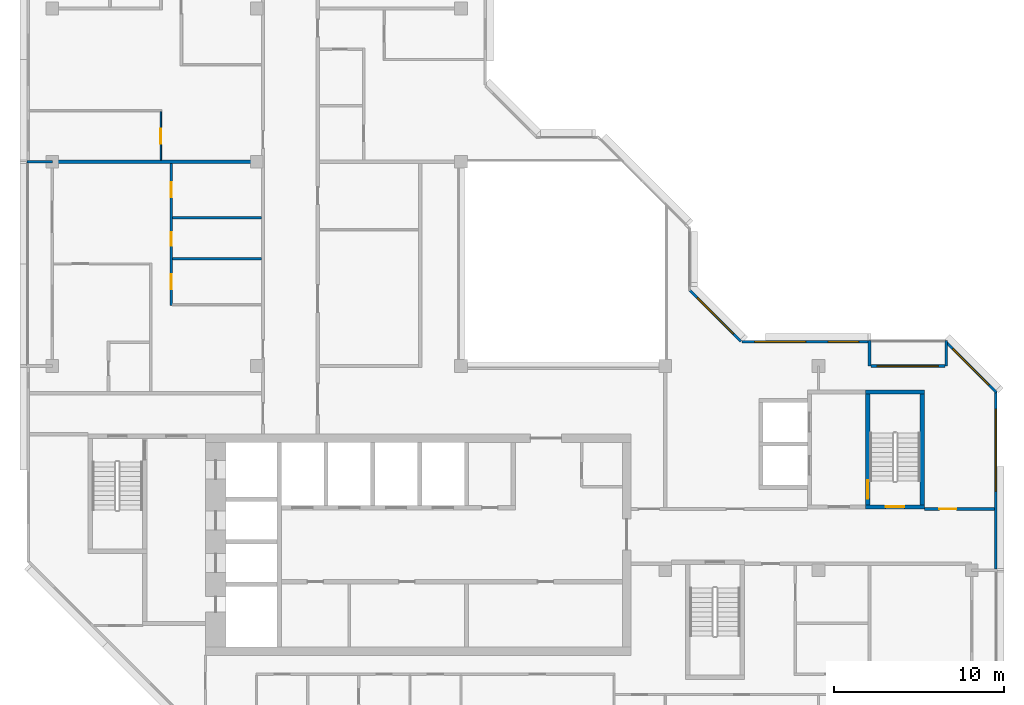
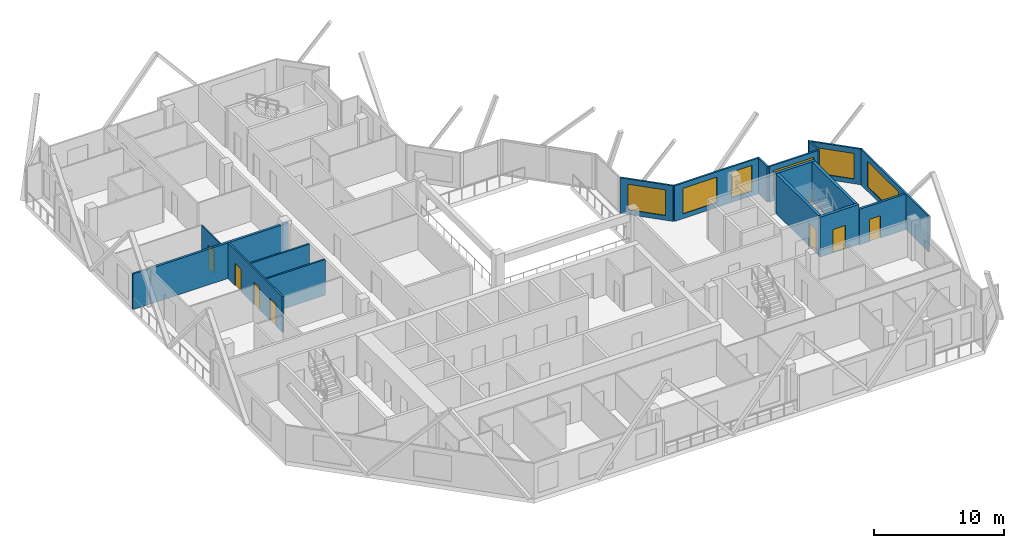
# One storey, part 7 of 12: 18 walls, 7 doors, 6 windows, 13 openings.
"""IFC4 building model written with IfcOpenShell, lengths in metres."""

from ifc_helpers import new_model, si_unit, direction, frame, frame_2d, origin, place, context, subcontext, project, spatial, rectangle, extrude, material, layer, layer_set, type_object, element, fill, save


model = new_model("IFC4")

# Units and contexts
model_context = context("Model", 3, precision=1e-05, world=origin(), true_north=direction((0.0, 1.0)))
body_context = subcontext(model_context, "Body", "Model", "MODEL_VIEW")
ifc_project = project(units=[si_unit("LENGTHUNIT", "METRE"), si_unit("AREAUNIT", "SQUARE_METRE"), si_unit("VOLUMEUNIT", "CUBIC_METRE"), si_unit("PLANEANGLEUNIT", "RADIAN"), si_unit("MASSUNIT", "GRAM", prefix="KILO")], contexts=[model_context])

# Site, building, storey
site_placement = place(None, origin())
site = spatial("IfcSite", under=ifc_project, at=site_placement, CompositionType="ELEMENT")
building_placement = place(site_placement, origin())
building = spatial("IfcBuilding", under=site, at=building_placement, Name="Chenar Terraces", CompositionType="ELEMENT")
storey_placement = place(building_placement, frame((0.0, 0.0, 368.89990234375)))
storey = spatial("IfcBuildingStorey", under=building, at=storey_placement, Name="L86", CompositionType="ELEMENT", Elevation=368.89990234375)

# Wall, opening, door
ifc_material_1 = material(Name="Concrete C50/60", Category="concrete")
ifc_layer_1 = layer(ifc_material_1, 0.25)
ifc_layer_set_1 = layer_set([ifc_layer_1], Name="Concrete C50/60")
wall_type_1 = type_object("IfcWallType", Name="Core wall 250 Concrete C50/60", PredefinedType="SHEAR", material=ifc_layer_set_1)
wall_1_placement = place(storey_placement, frame((47.77490234375, 15.72509765625, 0.0), z_axis=(0.0, 0.0, 1.0), x_axis=(1.0, 0.0, 0.0)))
wall_1 = element("IfcWall", 1, at=wall_1_placement, inside=storey, type_object=wall_type_1, Name="Core wall ST3_S L86", PredefinedType="SHEAR", context=body_context, shape_type="SweptSolid", body=[
    extrude(rectangle(XDim=3.4501953125, YDim=0.25, at=frame_2d((1.72509765625, 0.0))), origin(), (0.0, 0.0, 1.0), 3.75),
])
opening_1_placement = place(wall_1_placement, frame((1.175048828125, 0.0, 0.0)))
opening_1 = element("IfcOpeningElement", 2, at=opening_1_placement, cuts=wall_1, Name="Opening DL86-C8", PredefinedType="OPENING", context=body_context, shape_type="SweptSolid", body=[
    extrude(rectangle(XDim=1.10009765625, YDim=2.199951171875, at=frame_2d((0.550048828125, 1.10009765625))), frame((0.0, 0.135009765625, 0.0), z_axis=(0.0, -1.0, 0.0), x_axis=(1.0, 0.0, 0.0)), (0.0, 0.0, 1.0), 0.27001953125),
])
ifc_material_2 = material(Name="Steel-framed fire-resisting door leaf", Category="steel")
door_type_1 = type_object("IfcDoorType", Name="Stair fire door FD60 1100 x 2200", OperationType="SINGLE_SWING_LEFT", PredefinedType="DOOR", material=ifc_material_2)
door_1_placement = place(opening_1_placement, frame((1.10009765625, 0.0, 0.0), z_axis=(0.0, 0.0, 1.0), x_axis=(-1.0, 0.0, 0.0)))
door_1 = element("IfcDoor", 3, at=door_1_placement, inside=storey, type_object=door_type_1, Name="Stair door DL86-C8", OperationType="SINGLE_SWING_LEFT", OverallHeight=2.199951171875, OverallWidth=1.10009765625, PredefinedType="DOOR", context=body_context, shape_type="SweptSolid", body=[
    extrude(rectangle(XDim=1.10009765625, YDim=2.199951171875, at=frame_2d((0.550048828125, 1.10009765625))), frame((0.0, 0.02490234375, 0.0), z_axis=(0.0, -1.0, 0.0), x_axis=(1.0, 0.0, 0.0)), (0.0, 0.0, 1.0), 0.050048828125),
])
fill(opening_1, door_1)

# Wall
wall_2_placement = place(storey_placement, frame((47.77490234375, 22.47509765625, 0.0), z_axis=(0.0, 0.0, 1.0), x_axis=(1.0, 0.0, 0.0)))
element("IfcWall", 4, at=wall_2_placement, inside=storey, type_object=wall_type_1, Name="Core wall ST3_N L86", PredefinedType="SHEAR", context=body_context, shape_type="SweptSolid", body=[
    extrude(rectangle(XDim=3.4501953125, YDim=0.25, at=frame_2d((1.72509765625, 0.0))), origin(), (0.0, 0.0, 1.0), 3.75),
])

# Wall, opening, door
wall_3_placement = place(storey_placement, frame((47.89990234375, 15.85009765625, 0.0), z_axis=(0.0, 0.0, 1.0), x_axis=(0.0, 1.0, 0.0)))
wall_3 = element("IfcWall", 5, at=wall_3_placement, inside=storey, type_object=wall_type_1, Name="Core wall ST3_W L86", PredefinedType="SHEAR", context=body_context, shape_type="SweptSolid", body=[
    extrude(rectangle(XDim=6.5, YDim=0.25, at=frame_2d((3.25, 0.0))), origin(), (0.0, 0.0, 1.0), 3.75),
])
opening_2_placement = place(wall_3_placement, frame((0.35009765625, 0.0, 0.0)))
opening_2 = element("IfcOpeningElement", 6, at=opening_2_placement, cuts=wall_3, Name="Opening DL86-C11", PredefinedType="OPENING", context=body_context, shape_type="SweptSolid", body=[
    extrude(rectangle(XDim=1.10009765625, YDim=2.199951171875, at=frame_2d((0.550048828125, 1.10009765625))), frame((0.0, 0.135009765625, 0.0), z_axis=(0.0, -1.0, 0.0), x_axis=(1.0, 0.0, 0.0)), (0.0, 0.0, 1.0), 0.27001953125),
])
door_2_placement = place(opening_2_placement, frame((1.10009765625, 0.0, 0.0), z_axis=(0.0, 0.0, 1.0), x_axis=(-1.0, 0.0, 0.0)))
door_2 = element("IfcDoor", 7, at=door_2_placement, inside=storey, type_object=door_type_1, Name="Stair door DL86-C11", OperationType="SINGLE_SWING_RIGHT", OverallHeight=2.199951171875, OverallWidth=1.10009765625, PredefinedType="DOOR", context=body_context, shape_type="SweptSolid", body=[
    extrude(rectangle(XDim=1.10009765625, YDim=2.199951171875, at=frame_2d((0.550048828125, 1.10009765625))), frame((0.0, 0.02490234375, 0.0), z_axis=(0.0, -1.0, 0.0), x_axis=(1.0, 0.0, 0.0)), (0.0, 0.0, 1.0), 0.050048828125),
])
fill(opening_2, door_2)

# Wall
wall_4_placement = place(storey_placement, frame((51.10009765625, 15.85009765625, 0.0), z_axis=(0.0, 0.0, 1.0), x_axis=(0.0, 1.0, 0.0)))
element("IfcWall", 8, at=wall_4_placement, inside=storey, type_object=wall_type_1, Name="Core wall ST3_E L86", PredefinedType="SHEAR", context=body_context, shape_type="SweptSolid", body=[
    extrude(rectangle(XDim=6.5, YDim=0.25, at=frame_2d((3.25, 0.0))), origin(), (0.0, 0.0, 1.0), 3.75),
])

# Wall, opening, door
ifc_material_3 = material(Name="Gypsum board on steel studs with fire boards", Category="steel")
ifc_layer_2 = layer(ifc_material_3, 0.199951171875)
ifc_layer_set_2 = layer_set([ifc_layer_2], Name="Gypsum board on steel studs with fire boards")
wall_type_2 = type_object("IfcWallType", Name="Corridor wall 200", PredefinedType="PARTITIONING", material=ifc_layer_set_2)
wall_5_placement = place(storey_placement, frame((51.22509765625, 15.60009765625, 0.0), z_axis=(0.0, 0.0, 1.0), x_axis=(1.0, 0.0, 0.0)))
wall_5 = element("IfcWall", 9, at=wall_5_placement, inside=storey, type_object=wall_type_2, Name="Partition L86-061", PredefinedType="PARTITIONING", context=body_context, shape_type="SweptSolid", body=[
    extrude(rectangle(XDim=4.125, YDim=0.199951171875, at=frame_2d((2.0625, 0.0))), origin(), (0.0, 0.0, 1.0), 3.35009765625),
])
opening_3_placement = place(wall_5_placement, frame((0.875, 0.0, 0.0)))
opening_3 = element("IfcOpeningElement", 10, at=opening_3_placement, cuts=wall_5, Name="Opening DL86-19", PredefinedType="OPENING", context=body_context, shape_type="SweptSolid", body=[
    extrude(rectangle(XDim=1.0, YDim=2.10009765625, at=frame_2d((0.5, 1.050048828125))), frame((0.0, 0.10986328125, 0.0), z_axis=(0.0, -1.0, 0.0), x_axis=(1.0, 0.0, 0.0)), (0.0, 0.0, 1.0), 0.219970703125),
])
ifc_material_4 = material(Name="Steel-framed fire-resisting door leaf", Category="steel")
door_type_2 = type_object("IfcDoorType", Name="Fire door FD60 1000 x 2100", OperationType="SINGLE_SWING_LEFT", PredefinedType="DOOR", material=ifc_material_4)
door_3_placement = place(opening_3_placement, origin())
door_3 = element("IfcDoor", 11, at=door_3_placement, inside=storey, type_object=door_type_2, Name="Door DL86-19", OperationType="SINGLE_SWING_LEFT", OverallHeight=2.10009765625, OverallWidth=1.0, PredefinedType="DOOR", context=body_context, shape_type="SweptSolid", body=[
    extrude(rectangle(XDim=1.0, YDim=2.10009765625, at=frame_2d((0.5, 1.050048828125))), frame((0.0, 0.02490234375, 0.0), z_axis=(0.0, -1.0, 0.0), x_axis=(1.0, 0.0, 0.0)), (0.0, 0.0, 1.0), 0.050048828125),
])
fill(opening_3, door_3)

# Wall, openings, windows
ifc_material_5 = material(Name="Aluminium framed glazing", Category="aluminium")
ifc_layer_3 = layer(ifc_material_5, 0.14990234375)
ifc_layer_set_3 = layer_set([ifc_layer_3], Name="Aluminium framed glazing")
wall_type_3 = type_object("IfcWallType", Name="Glazed flush facade wall 150", PredefinedType="SOLIDWALL", material=ifc_layer_set_3)
wall_6_placement = place(storey_placement, frame((47.925048828125, 25.425048828125, 0.0), z_axis=(0.0, 0.0, 1.0), x_axis=(-1.0, 0.0, 0.0)))
wall_6 = element("IfcWall", 12, at=wall_6_placement, inside=storey, type_object=wall_type_3, Name="Glazed flush facade wall", PredefinedType="SOLIDWALL", context=body_context, shape_type="SweptSolid", body=[
    extrude(rectangle(XDim=7.425048828125, YDim=0.14990234375, at=frame_2d((3.71240234375, 0.0))), origin(), (0.0, 0.0, 1.0), 3.35009765625),
])
opening_4_placement = place(wall_6_placement, frame((0.5625, 0.0, 0.449951171875)))
opening_4 = element("IfcOpeningElement", 13, at=opening_4_placement, cuts=wall_6, Name="Opening W180x240", PredefinedType="OPENING", context=body_context, shape_type="SweptSolid", body=[
    extrude(rectangle(XDim=1.800048828125, YDim=2.39990234375, at=frame_2d((0.89990234375, 1.199951171875))), frame((0.0, 0.0849609375, 0.0), z_axis=(0.0, -1.0, 0.0), x_axis=(1.0, 0.0, 0.0)), (0.0, 0.0, 1.0), 0.169921875),
])
opening_5_placement = place(wall_6_placement, frame((3.675048828125, 0.0, 0.449951171875)))
opening_5 = element("IfcOpeningElement", 14, at=opening_5_placement, cuts=wall_6, Name="Opening W300x240", PredefinedType="OPENING", context=body_context, shape_type="SweptSolid", body=[
    extrude(rectangle(XDim=3.0, YDim=2.39990234375, at=frame_2d((1.5, 1.199951171875))), frame((0.0, 0.0849609375, 0.0), z_axis=(0.0, -1.0, 0.0), x_axis=(1.0, 0.0, 0.0)), (0.0, 0.0, 1.0), 0.169921875),
])
ifc_material_6 = material(Name="Low emissivity double glazing, aluminium frame", Category="aluminium")
window_type_1 = type_object("IfcWindowType", Name="Fixed light 1800 x 2400", PartitioningType="SINGLE_PANEL", PredefinedType="WINDOW", material=ifc_material_6)
window_1_placement = place(opening_4_placement, origin())
window_1 = element("IfcWindow", 15, at=window_1_placement, inside=storey, type_object=window_type_1, Name="Window", OverallHeight=2.39990234375, OverallWidth=1.800048828125, PartitioningType="SINGLE_PANEL", PredefinedType="WINDOW", context=body_context, shape_type="SweptSolid", body=[
    extrude(rectangle(XDim=1.800048828125, YDim=2.39990234375, at=frame_2d((0.89990234375, 1.199951171875))), frame((0.0, 0.030029296875, 0.0), z_axis=(0.0, -1.0, 0.0), x_axis=(1.0, 0.0, 0.0)), (0.0, 0.0, 1.0), 0.06005859375),
])
fill(opening_4, window_1)
ifc_material_7 = material(Name="Low emissivity double glazing, aluminium frame", Category="aluminium")
window_type_2 = type_object("IfcWindowType", Name="Fixed light 3000 x 2400", PartitioningType="SINGLE_PANEL", PredefinedType="WINDOW", material=ifc_material_7)
window_2_placement = place(opening_5_placement, origin())
window_2 = element("IfcWindow", 16, at=window_2_placement, inside=storey, type_object=window_type_2, Name="Window", OverallHeight=2.39990234375, OverallWidth=3.0, PartitioningType="SINGLE_PANEL", PredefinedType="WINDOW", context=body_context, shape_type="SweptSolid", body=[
    extrude(rectangle(XDim=3.0, YDim=2.39990234375, at=frame_2d((1.5, 1.199951171875))), frame((0.0, 0.030029296875, 0.0), z_axis=(0.0, -1.0, 0.0), x_axis=(1.0, 0.0, 0.0)), (0.0, 0.0, 1.0), 0.06005859375),
])
fill(opening_5, window_2)

# Wall, opening, window
wall_7_placement = place(storey_placement, frame((55.425048828125, 12.074951171875, 0.0), z_axis=(0.0, 0.0, 1.0), x_axis=(0.0, 1.0, 0.0)))
wall_7 = element("IfcWall", 17, at=wall_7_placement, inside=storey, type_object=wall_type_3, Name="Glazed flush facade wall", PredefinedType="SOLIDWALL", context=body_context, shape_type="SweptSolid", body=[
    extrude(rectangle(XDim=10.425048828125, YDim=0.14990234375, at=frame_2d((5.21240234375, 0.0))), origin(), (0.0, 0.0, 1.0), 3.35009765625),
])
opening_6_placement = place(wall_7_placement, frame((4.574951171875, 0.0, 0.449951171875)))
opening_6 = element("IfcOpeningElement", 18, at=opening_6_placement, cuts=wall_7, Name="Opening W480x240", PredefinedType="OPENING", context=body_context, shape_type="SweptSolid", body=[
    extrude(rectangle(XDim=4.800048828125, YDim=2.39990234375, at=frame_2d((2.39990234375, 1.199951171875))), frame((0.0, 0.0849609375, 0.0), z_axis=(0.0, -1.0, 0.0), x_axis=(1.0, 0.0, 0.0)), (0.0, 0.0, 1.0), 0.169921875),
])
ifc_material_8 = material(Name="Low emissivity double glazing, aluminium frame", Category="aluminium")
window_type_3 = type_object("IfcWindowType", Name="Fixed light 4800 x 2400", PartitioningType="SINGLE_PANEL", PredefinedType="WINDOW", material=ifc_material_8)
window_3_placement = place(opening_6_placement, origin())
window_3 = element("IfcWindow", 19, at=window_3_placement, inside=storey, type_object=window_type_3, Name="Window", OverallHeight=2.39990234375, OverallWidth=4.800048828125, PartitioningType="SINGLE_PANEL", PredefinedType="WINDOW", context=body_context, shape_type="SweptSolid", body=[
    extrude(rectangle(XDim=4.800048828125, YDim=2.39990234375, at=frame_2d((2.39990234375, 1.199951171875))), frame((0.0, 0.030029296875, 0.0), z_axis=(0.0, -1.0, 0.0), x_axis=(1.0, 0.0, 0.0)), (0.0, 0.0, 1.0), 0.06005859375),
])
fill(opening_6, window_3)

ifc_material_9 = material(Name="Aluminium framed glazing", Category="aluminium")
ifc_layer_4 = layer(ifc_material_9, 0.14990234375)
ifc_layer_set_4 = layer_set([ifc_layer_4], Name="Aluminium framed glazing")
wall_type_4 = type_object("IfcWallType", Name="Glazed loggia back wall 150", PredefinedType="SOLIDWALL", material=ifc_layer_set_4)
wall_8_placement = place(storey_placement, frame((52.425048828125, 24.0, 0.0), z_axis=(0.0, 0.0, 1.0), x_axis=(-1.0, 0.0, 0.0)))
wall_8 = element("IfcWall", 20, at=wall_8_placement, inside=storey, type_object=wall_type_4, Name="Glazed loggia back wall", PredefinedType="SOLIDWALL", context=body_context, shape_type="SweptSolid", body=[
    extrude(rectangle(XDim=4.35009765625, YDim=0.14990234375, at=frame_2d((2.175048828125, 0.0))), origin(), (0.0, 0.0, 1.0), 3.35009765625),
])
opening_7_placement = place(wall_8_placement, frame((0.375, 0.0, 0.449951171875)))
opening_7 = element("IfcOpeningElement", 21, at=opening_7_placement, cuts=wall_8, Name="Opening W360x240", PredefinedType="OPENING", context=body_context, shape_type="SweptSolid", body=[
    extrude(rectangle(XDim=3.60009765625, YDim=2.39990234375, at=frame_2d((1.800048828125, 1.199951171875))), frame((0.0, 0.0849609375, 0.0), z_axis=(0.0, -1.0, 0.0), x_axis=(1.0, 0.0, 0.0)), (0.0, 0.0, 1.0), 0.169921875),
])
ifc_material_10 = material(Name="Low emissivity double glazing, aluminium frame", Category="aluminium")
window_type_4 = type_object("IfcWindowType", Name="Fixed light 3600 x 2400", PartitioningType="SINGLE_PANEL", PredefinedType="WINDOW", material=ifc_material_10)
window_4_placement = place(opening_7_placement, origin())
window_4 = element("IfcWindow", 22, at=window_4_placement, inside=storey, type_object=window_type_4, Name="Window", OverallHeight=2.39990234375, OverallWidth=3.60009765625, PartitioningType="SINGLE_PANEL", PredefinedType="WINDOW", context=body_context, shape_type="SweptSolid", body=[
    extrude(rectangle(XDim=3.60009765625, YDim=2.39990234375, at=frame_2d((1.800048828125, 1.199951171875))), frame((0.0, 0.030029296875, 0.0), z_axis=(0.0, -1.0, 0.0), x_axis=(1.0, 0.0, 0.0)), (0.0, 0.0, 1.0), 0.06005859375),
])
fill(opening_7, window_4)

# Wall, opening, door
ifc_material_11 = material(Name="Gypsum board on steel studs", Category="steel")
ifc_layer_5 = layer(ifc_material_11, 0.10009765625)
ifc_layer_set_5 = layer_set([ifc_layer_5], Name="Gypsum board on steel studs")
wall_type_5 = type_object("IfcWallType", Name="Gypsum partition 100", PredefinedType="PARTITIONING", material=ifc_layer_set_5)
wall_9_placement = place(storey_placement, frame((6.375, 36.10009765625, 0.0), z_axis=(0.0, 0.0, 1.0), x_axis=(0.0, 1.0, 0.0)))
wall_9 = element("IfcWall", 23, at=wall_9_placement, inside=storey, type_object=wall_type_5, Name="Partition L86-014", PredefinedType="PARTITIONING", context=body_context, shape_type="SweptSolid", body=[
    extrude(rectangle(XDim=2.849853515625, YDim=0.10009765625, at=frame_2d((1.4248046875, 0.0))), origin(), (0.0, 0.0, 1.0), 3.35009765625),
])
opening_8_placement = place(wall_9_placement, frame((0.949951171875, 0.0, 0.0)))
opening_8 = element("IfcOpeningElement", 24, at=opening_8_placement, cuts=wall_9, Name="Opening DL86-9", PredefinedType="OPENING", context=body_context, shape_type="SweptSolid", body=[
    extrude(rectangle(XDim=0.89990234375, YDim=2.10009765625, at=frame_2d((0.449951171875, 1.050048828125))), frame((0.0, 0.06005859375, 0.0), z_axis=(0.0, -1.0, 0.0), x_axis=(1.0, 0.0, 0.0)), (0.0, 0.0, 1.0), 0.1201171875),
])
ifc_material_12 = material(Name="Veneered timber door leaf", Category="wood")
door_type_3 = type_object("IfcDoorType", Name="Door 900 x 2100", OperationType="SINGLE_SWING_LEFT", PredefinedType="DOOR", material=ifc_material_12)
door_4_placement = place(opening_8_placement, origin())
door_4 = element("IfcDoor", 25, at=door_4_placement, inside=storey, type_object=door_type_3, Name="Door DL86-9", OperationType="SINGLE_SWING_RIGHT", OverallHeight=2.10009765625, OverallWidth=0.89990234375, PredefinedType="DOOR", context=body_context, shape_type="SweptSolid", body=[
    extrude(rectangle(XDim=0.89990234375, YDim=2.10009765625, at=frame_2d((0.449951171875, 1.050048828125))), frame((0.0, 0.02490234375, 0.0), z_axis=(0.0, -1.0, 0.0), x_axis=(1.0, 0.0, 0.0)), (0.0, 0.0, 1.0), 0.050048828125),
])
fill(opening_8, door_4)

# Walls
ifc_material_13 = material(Name="Terracotta cladding on insulated backing", Category="masonry")
ifc_layer_6 = layer(ifc_material_13, 0.14990234375)
ifc_layer_set_6 = layer_set([ifc_layer_6], Name="Terracotta cladding on insulated backing")
wall_type_6 = type_object("IfcWallType", Name="Loggia return wall 150", PredefinedType="SOLIDWALL", material=ifc_layer_set_6)
for number, where, z_axis, x_axis, name in (
    (26, (52.5, 25.5, 0.0), (0.0, 0.0, 1.0), (0.0, -1.0, 0.0), "Loggia return wall"),
    (27, (48.0, 25.5, 0.0), (0.0, 0.0, 1.0), (0.0, -1.0, 0.0), "Loggia return wall"),
    (28, (-1.5, 36.0, 0.0), (0.0, 0.0, 1.0), (1.0, 0.0, 0.0), "Loggia return wall"),
):
    element("IfcWall", number, at=place(storey_placement, frame(where, z_axis=z_axis, x_axis=x_axis)), inside=storey, type_object=wall_type_6, Name=name, PredefinedType="SOLIDWALL", context=body_context, shape_type="SweptSolid", body=[
        extrude(rectangle(XDim=1.5, YDim=0.14990234375, at=frame_2d((0.75, 0.0))), origin(), (0.0, 0.0, 1.0), 3.35009765625),
    ])

# Wall, opening, window
ifc_material_14 = material(Name="Terracotta cladding on insulated backing", Category="masonry")
ifc_layer_7 = layer(ifc_material_14, 0.14990234375)
ifc_layer_set_7 = layer_set([ifc_layer_7], Name="Terracotta cladding on insulated backing")
wall_type_7 = type_object("IfcWallType", Name="Terracotta rainscreen wall 150", PredefinedType="SOLIDWALL", material=ifc_layer_set_7)
wall_10_placement = place(storey_placement, frame((40.447021484375, 25.447021484375, 0.0), z_axis=(0.0, 0.0, 1.0), x_axis=(-0.707106781187, 0.707106781187, 0.0)))
wall_10 = element("IfcWall", 29, at=wall_10_placement, inside=storey, type_object=wall_type_7, Name="Terracotta rainscreen wall", PredefinedType="SOLIDWALL", context=body_context, shape_type="SweptSolid", body=[
    extrude(rectangle(XDim=4.24267578125, YDim=0.14990234375, at=frame_2d((2.121337890625, 0.0))), origin(), (0.0, 0.0, 1.0), 3.35009765625),
])
opening_9_placement = place(wall_10_placement, frame((0.621337890625, 0.0, 0.449951171875)))
opening_9 = element("IfcOpeningElement", 30, at=opening_9_placement, cuts=wall_10, Name="Opening W300x240", PredefinedType="OPENING", context=body_context, shape_type="SweptSolid", body=[
    extrude(rectangle(XDim=3.0, YDim=2.39990234375, at=frame_2d((1.5, 1.199951171875))), frame((0.0, 0.0849609375, 0.0), z_axis=(0.0, -1.0, 0.0), x_axis=(1.0, 0.0, 0.0)), (0.0, 0.0, 1.0), 0.169921875),
])
window_5_placement = place(opening_9_placement, origin())
window_5 = element("IfcWindow", 31, at=window_5_placement, inside=storey, type_object=window_type_2, Name="Window", OverallHeight=2.39990234375, OverallWidth=3.0, PartitioningType="SINGLE_PANEL", PredefinedType="WINDOW", context=body_context, shape_type="SweptSolid", body=[
    extrude(rectangle(XDim=3.0, YDim=2.39990234375, at=frame_2d((1.5, 1.199951171875))), frame((0.0, 0.030029296875, 0.0), z_axis=(0.0, -1.0, 0.0), x_axis=(1.0, 0.0, 0.0)), (0.0, 0.0, 1.0), 0.06005859375),
])
fill(opening_9, window_5)

wall_11_placement = place(storey_placement, frame((55.447021484375, 22.447021484375, 0.0), z_axis=(0.0, 0.0, 1.0), x_axis=(-0.707106781187, 0.707106781187, 0.0)))
wall_11 = element("IfcWall", 32, at=wall_11_placement, inside=storey, type_object=wall_type_7, Name="Terracotta rainscreen wall", PredefinedType="SOLIDWALL", context=body_context, shape_type="SweptSolid", body=[
    extrude(rectangle(XDim=4.24267578125, YDim=0.14990234375, at=frame_2d((2.121337890625, 0.0))), origin(), (0.0, 0.0, 1.0), 3.35009765625),
])
opening_10_placement = place(wall_11_placement, frame((0.621337890625, 0.0, 0.449951171875)))
opening_10 = element("IfcOpeningElement", 33, at=opening_10_placement, cuts=wall_11, Name="Opening W300x240", PredefinedType="OPENING", context=body_context, shape_type="SweptSolid", body=[
    extrude(rectangle(XDim=3.0, YDim=2.39990234375, at=frame_2d((1.5, 1.199951171875))), frame((0.0, 0.0849609375, 0.0), z_axis=(0.0, -1.0, 0.0), x_axis=(1.0, 0.0, 0.0)), (0.0, 0.0, 1.0), 0.169921875),
])
window_6_placement = place(opening_10_placement, origin())
window_6 = element("IfcWindow", 34, at=window_6_placement, inside=storey, type_object=window_type_2, Name="Window", OverallHeight=2.39990234375, OverallWidth=3.0, PartitioningType="SINGLE_PANEL", PredefinedType="WINDOW", context=body_context, shape_type="SweptSolid", body=[
    extrude(rectangle(XDim=3.0, YDim=2.39990234375, at=frame_2d((1.5, 1.199951171875))), frame((0.0, 0.030029296875, 0.0), z_axis=(0.0, -1.0, 0.0), x_axis=(1.0, 0.0, 0.0)), (0.0, 0.0, 1.0), 0.06005859375),
])
fill(opening_10, window_6)

# Wall
ifc_material_15 = material(Name="Twin gypsum board on steel studs with mineral wool", Category="steel")
ifc_layer_8 = layer(ifc_material_15, 0.199951171875)
ifc_layer_set_8 = layer_set([ifc_layer_8], Name="Twin gypsum board on steel studs with mineral wool")
wall_type_8 = type_object("IfcWallType", Name="Unit demising wall 200", PredefinedType="PARTITIONING", material=ifc_layer_set_8)
wall_12_placement = place(storey_placement, frame((0.0, 36.0, 0.0), z_axis=(0.0, 0.0, 1.0), x_axis=(1.0, 0.0, 0.0)))
element("IfcWall", 35, at=wall_12_placement, inside=storey, type_object=wall_type_8, Name="Partition L86-003", PredefinedType="PARTITIONING", context=body_context, shape_type="SweptSolid", body=[
    extrude(rectangle(XDim=12.27490234375, YDim=0.199951171875, at=frame_2d((6.137451171875, 0.0))), origin(), (0.0, 0.0, 1.0), 3.35009765625),
])

# Wall, openings, doors
ifc_material_16 = material(Name="Moisture-resistant gypsum board on steel studs", Category="steel")
ifc_layer_9 = layer(ifc_material_16, 0.14990234375)
ifc_layer_set_9 = layer_set([ifc_layer_9], Name="Moisture-resistant gypsum board on steel studs")
wall_type_9 = type_object("IfcWallType", Name="Wet-room partition 150", PredefinedType="PARTITIONING", material=ifc_layer_set_9)
wall_13_placement = place(storey_placement, frame((6.97509765625, 27.550048828125, 0.0), z_axis=(0.0, 0.0, 1.0), x_axis=(0.0, 1.0, 0.0)))
wall_13 = element("IfcWall", 36, at=wall_13_placement, inside=storey, type_object=wall_type_9, Name="Partition L86-016", PredefinedType="PARTITIONING", context=body_context, shape_type="SweptSolid", body=[
    extrude(rectangle(XDim=8.349853515625, YDim=0.14990234375, at=frame_2d((4.1748046875, 0.0))), origin(), (0.0, 0.0, 1.0), 3.35009765625),
])
opening_11_placement = place(wall_13_placement, frame((3.5, 0.0, 0.0)))
opening_11 = element("IfcOpeningElement", 37, at=opening_11_placement, cuts=wall_13, Name="Opening DL86-37", PredefinedType="OPENING", context=body_context, shape_type="SweptSolid", body=[
    extrude(rectangle(XDim=0.800048828125, YDim=2.10009765625, at=frame_2d((0.39990234375, 1.050048828125))), frame((0.0, 0.0849609375, 0.0), z_axis=(0.0, -1.0, 0.0), x_axis=(1.0, 0.0, 0.0)), (0.0, 0.0, 1.0), 0.169921875),
])
opening_12_placement = place(wall_13_placement, frame((0.949951171875, 0.0, 0.0)))
opening_12 = element("IfcOpeningElement", 38, at=opening_12_placement, cuts=wall_13, Name="Opening DL86-40", PredefinedType="OPENING", context=body_context, shape_type="SweptSolid", body=[
    extrude(rectangle(XDim=0.89990234375, YDim=2.10009765625, at=frame_2d((0.449951171875, 1.050048828125))), frame((0.0, 0.0849609375, 0.0), z_axis=(0.0, -1.0, 0.0), x_axis=(1.0, 0.0, 0.0)), (0.0, 0.0, 1.0), 0.169921875),
])
opening_13_placement = place(wall_13_placement, frame((6.35009765625, 0.0, 0.0)))
opening_13 = element("IfcOpeningElement", 39, at=opening_13_placement, cuts=wall_13, Name="Opening DL86-42", PredefinedType="OPENING", context=body_context, shape_type="SweptSolid", body=[
    extrude(rectangle(XDim=0.89990234375, YDim=2.10009765625, at=frame_2d((0.449951171875, 1.050048828125))), frame((0.0, 0.0849609375, 0.0), z_axis=(0.0, -1.0, 0.0), x_axis=(1.0, 0.0, 0.0)), (0.0, 0.0, 1.0), 0.169921875),
])
ifc_material_17 = material(Name="Veneered timber door leaf", Category="wood")
door_type_4 = type_object("IfcDoorType", Name="Door 800 x 2100", OperationType="SINGLE_SWING_LEFT", PredefinedType="DOOR", material=ifc_material_17)
door_5_placement = place(opening_11_placement, frame((0.800048828125, 0.0, 0.0), z_axis=(0.0, 0.0, 1.0), x_axis=(-1.0, 0.0, 0.0)))
door_5 = element("IfcDoor", 40, at=door_5_placement, inside=storey, type_object=door_type_4, Name="Door DL86-37", OperationType="SINGLE_SWING_RIGHT", OverallHeight=2.10009765625, OverallWidth=0.800048828125, PredefinedType="DOOR", context=body_context, shape_type="SweptSolid", body=[
    extrude(rectangle(XDim=0.800048828125, YDim=2.10009765625, at=frame_2d((0.39990234375, 1.050048828125))), frame((0.0, 0.02490234375, 0.0), z_axis=(0.0, -1.0, 0.0), x_axis=(1.0, 0.0, 0.0)), (0.0, 0.0, 1.0), 0.050048828125),
])
fill(opening_11, door_5)
door_6_placement = place(opening_12_placement, frame((0.89990234375, 0.0, 0.0), z_axis=(0.0, 0.0, 1.0), x_axis=(-1.0, 0.0, 0.0)))
door_6 = element("IfcDoor", 41, at=door_6_placement, inside=storey, type_object=door_type_3, Name="Door DL86-40", OperationType="SINGLE_SWING_LEFT", OverallHeight=2.10009765625, OverallWidth=0.89990234375, PredefinedType="DOOR", context=body_context, shape_type="SweptSolid", body=[
    extrude(rectangle(XDim=0.89990234375, YDim=2.10009765625, at=frame_2d((0.449951171875, 1.050048828125))), frame((0.0, 0.02490234375, 0.0), z_axis=(0.0, -1.0, 0.0), x_axis=(1.0, 0.0, 0.0)), (0.0, 0.0, 1.0), 0.050048828125),
])
fill(opening_12, door_6)
door_7_placement = place(opening_13_placement, frame((0.89990234375, 0.0, 0.0), z_axis=(0.0, 0.0, 1.0), x_axis=(-1.0, 0.0, 0.0)))
door_7 = element("IfcDoor", 42, at=door_7_placement, inside=storey, type_object=door_type_3, Name="Door DL86-42", OperationType="SINGLE_SWING_LEFT", OverallHeight=2.10009765625, OverallWidth=0.89990234375, PredefinedType="DOOR", context=body_context, shape_type="SweptSolid", body=[
    extrude(rectangle(XDim=0.89990234375, YDim=2.10009765625, at=frame_2d((0.449951171875, 1.050048828125))), frame((0.0, 0.02490234375, 0.0), z_axis=(0.0, -1.0, 0.0), x_axis=(1.0, 0.0, 0.0)), (0.0, 0.0, 1.0), 0.050048828125),
])
fill(opening_13, door_7)

# Walls
for number, where, z_axis, x_axis, name in (
    (43, (7.050048828125, 30.300048828125, 0.0), (0.0, 0.0, 1.0), (1.0, 0.0, 0.0), "Partition L86-018"),
    (44, (7.050048828125, 32.699951171875, 0.0), (0.0, 0.0, 1.0), (1.0, 0.0, 0.0), "Partition L86-019"),
):
    element("IfcWall", number, at=place(storey_placement, frame(where, z_axis=z_axis, x_axis=x_axis)), inside=storey, type_object=wall_type_9, Name=name, PredefinedType="PARTITIONING", context=body_context, shape_type="SweptSolid", body=[
        extrude(rectangle(XDim=5.224853515625, YDim=0.14990234375, at=frame_2d((2.6123046875, 0.0))), origin(), (0.0, 0.0, 1.0), 3.35009765625),
    ])

save(model, "model.ifc")
